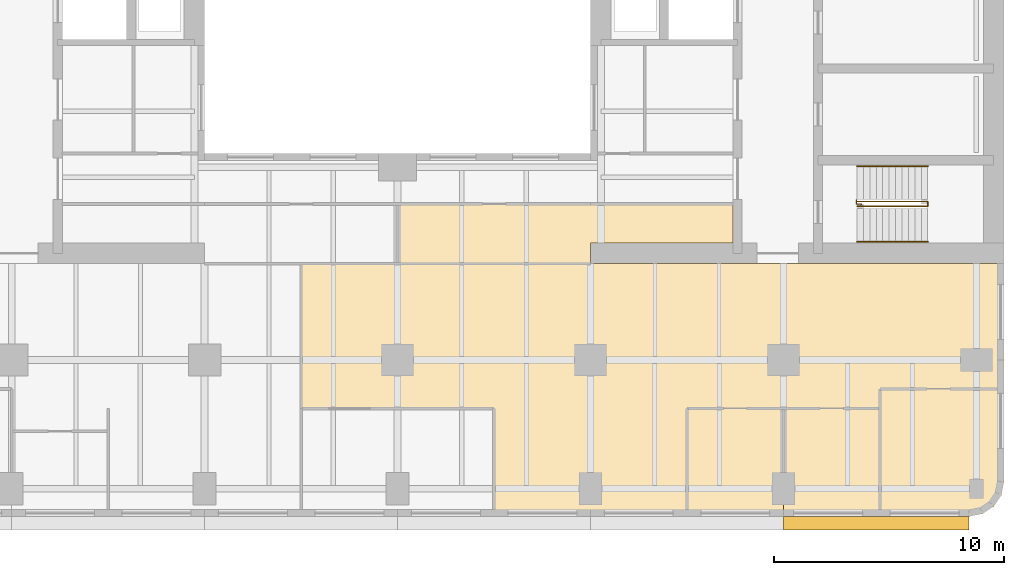
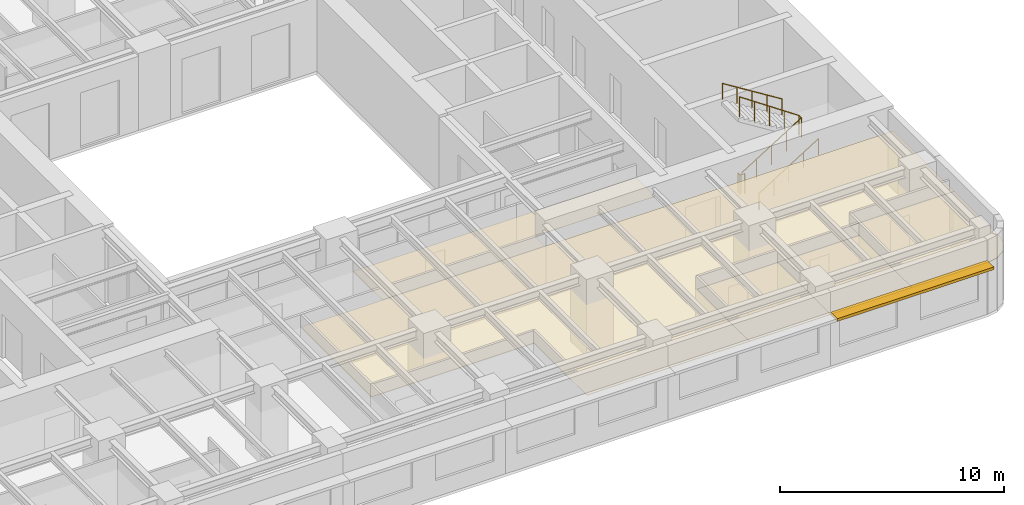
# One storey, part 10 of 11: 5 coverings, 4 railings, 1 shading device.
"""IFC4 building model written with IfcOpenShell, lengths in metres."""

from ifc_helpers import new_model, si_unit, direction, frame, origin, origin_2d, place, context, subcontext, project, spatial, polyline, rectangle, circle, outline, extrude, material, layer, layer_set, type_object, element, save


model = new_model("IFC4")

# Units and contexts
model_context = context("Model", 3, precision=1e-05, world=origin(), true_north=direction((0.0, 1.0)))
body_context = subcontext(model_context, "Body", "Model", "MODEL_VIEW")
ifc_project = project(units=[si_unit("LENGTHUNIT", "METRE"), si_unit("AREAUNIT", "SQUARE_METRE"), si_unit("VOLUMEUNIT", "CUBIC_METRE"), si_unit("PLANEANGLEUNIT", "RADIAN"), si_unit("MASSUNIT", "GRAM", prefix="KILO")], contexts=[model_context])

# Site, building, storey
site_placement = place(None, origin())
site = spatial("IfcSite", under=ifc_project, at=site_placement, CompositionType="ELEMENT")
building_placement = place(site_placement, origin())
building = spatial("IfcBuilding", under=site, at=building_placement, Name="Claustro Exchange Tower", CompositionType="ELEMENT")
storey_placement = place(building_placement, frame((0.0, 0.0, 155.39990234375)))
storey = spatial("IfcBuildingStorey", under=building, at=storey_placement, Name="L35", CompositionType="ELEMENT", Elevation=155.39990234375)

# Coverings
ifc_material_1 = material(Name="Gypsum board ceiling", Category="gypsum board")
ifc_layer_1 = layer(ifc_material_1, 0.02490234375)
ifc_layer_set_1 = layer_set([ifc_layer_1], Name="Gypsum board ceiling")
covering_type = type_object("IfcCoveringType", Name="CL2 plasterboard ceiling", PredefinedType="CEILING", material=ifc_layer_set_1)
covering_1_placement = place(storey_placement, frame((0.0, 0.0, 2.800048828125)))
element("IfcCovering", 1, at=covering_1_placement, inside=storey, type_object=covering_type, Name="Ceiling CL2 L35-03", PredefinedType="CEILING", context=body_context, shape_type="SweptSolid", body=[
    extrude(outline(polyline([(37.800048828125, 1.60009765625), (42.0, 1.60009765625), (42.0, 6.300048828125), (37.800048828125, 6.300048828125), (37.800048828125, 1.60009765625)])), origin(), (0.0, 0.0, 1.0), 0.025146484375),
])
covering_2_placement = place(storey_placement, frame((0.0, 0.0, 2.800048828125)))
element("IfcCovering", 2, at=covering_2_placement, inside=storey, type_object=covering_type, Name="Ceiling CL2 L35-04", PredefinedType="CEILING", context=body_context, shape_type="SweptSolid", body=[
    extrude(outline(polyline([(42.0, 1.60009765625), (46.199951171875, 1.60009765625), (46.199951171875, 6.300048828125), (42.0, 6.300048828125), (42.0, 1.60009765625)])), origin(), (0.0, 0.0, 1.0), 0.025146484375),
])
covering_3_placement = place(storey_placement, frame((0.0, 0.0, 2.800048828125)))
element("IfcCovering", 3, at=covering_3_placement, inside=storey, type_object=covering_type, Name="Ceiling CL2 L35-06", PredefinedType="CEILING", context=body_context, shape_type="SweptSolid", body=[
    extrude(outline(polyline([(51.60009765625, 3.10009765625), (51.60009765625, 7.14990234375), (46.199951171875, 7.14990234375), (46.199951171875, 1.60009765625), (50.10009765625, 1.60009765625), (50.674072265625, 1.714111328125), (51.16064453125, 2.039306640625), (51.48583984375, 2.52587890625), (51.60009765625, 3.10009765625)])), origin(), (0.0, 0.0, 1.0), 0.025146484375),
])
covering_4_placement = place(storey_placement, frame((0.0, 0.0, 2.800048828125)))
element("IfcCovering", 4, at=covering_4_placement, inside=storey, type_object=covering_type, Name="Ceiling CL2 L35-08", PredefinedType="CEILING", context=body_context, shape_type="SweptSolid", body=[
    extrude(outline(polyline([(51.60009765625, 12.60009765625), (39.800048828125, 12.60009765625), (21.0, 12.60009765625), (21.0, 6.300048828125), (29.39990234375, 6.300048828125), (29.39990234375, 1.60009765625), (37.800048828125, 1.60009765625), (37.800048828125, 6.300048828125), (42.0, 6.300048828125), (46.199951171875, 6.300048828125), (46.199951171875, 7.14990234375), (51.60009765625, 7.14990234375), (51.60009765625, 12.60009765625)])), origin(), (0.0, 0.0, 1.0), 0.025146484375),
])
covering_5_placement = place(storey_placement, frame((0.0, 0.0, 2.800048828125)))
element("IfcCovering", 5, at=covering_5_placement, inside=storey, type_object=covering_type, Name="Ceiling CL2 L35-10", PredefinedType="CEILING", context=body_context, shape_type="SweptSolid", body=[
    extrude(outline(polyline([(39.800048828125, 13.5), (39.800048828125, 15.199951171875), (33.60009765625, 15.199951171875), (25.199951171875, 15.199951171875), (25.199951171875, 12.60009765625), (33.60009765625, 12.60009765625), (33.60009765625, 13.5), (39.800048828125, 13.5)])), origin(), (0.0, 0.0, 1.0), 0.025146484375),
])

# Railings
ifc_material_2 = material(Name="Steel balustrade, painted", Category="steel")
railing_type_1 = type_object("IfcRailingType", Name="GR2 1100 steel stair guard", PredefinedType="GUARDRAIL", material=ifc_material_2)
railing_1_placement = place(storey_placement, frame((45.199951171875, 15.10009765625, 0.175048828125)))
element("IfcRailing", 6, at=railing_1_placement, inside=storey, type_object=railing_type_1, Name="Stair well guard GR2 stair STEA L35", PredefinedType="GUARDRAIL", context=body_context, shape_type="SweptSolid", body=[
    extrude(circle(Radius=0.02392578125, at=origin_2d()), frame((0.0, 0.0, 1.076171875), z_axis=(0.847998304005, 0.0, 0.529998940003), x_axis=(0.0, 1.0, 0.0)), (0.0, 0.0, 1.0), 3.632080078125),
    extrude(circle(Radius=0.02392578125, at=origin_2d()), frame((3.080078125, 0.0, 3.0009765625), z_axis=(0.0, 1.0, 0.0), x_axis=(-1.0, 0.0, 0.0)), (0.0, 0.0, 1.0), 0.199951171875),
    extrude(circle(Radius=0.02392578125, at=origin_2d()), frame((3.080078125, 0.199951171875, 3.0009765625), z_axis=(-0.826221800596, 0.0, 0.563344953133), x_axis=(0.0, -1.0, 0.0)), (0.0, 0.0, 1.0), 3.72802734375),
    extrude(circle(Radius=0.02099609375, at=origin_2d()), origin(), (0.0, 0.0, 1.0), 1.052001953125),
    extrude(circle(Radius=0.02099609375, at=origin_2d()), frame((0.77001953125, 0.0, 0.481201171875)), (0.0, 0.0, 1.0), 1.052001953125),
    extrude(circle(Radius=0.02099609375, at=origin_2d()), frame((1.5400390625, 0.0, 0.96240234375)), (0.0, 0.0, 1.0), 1.052001953125),
    extrude(circle(Radius=0.02099609375, at=origin_2d()), frame((2.31005859375, 0.0, 1.44384765625)), (0.0, 0.0, 1.0), 1.052001953125),
    extrude(circle(Radius=0.02099609375, at=origin_2d()), frame((3.080078125, 0.0, 1.925048828125)), (0.0, 0.0, 1.0), 1.052001953125),
    extrude(circle(Radius=0.02099609375, at=origin_2d()), frame((3.080078125, 0.199951171875, 1.925048828125)), (0.0, 0.0, 1.0), 1.052001953125),
    extrude(circle(Radius=0.02099609375, at=origin_2d()), frame((2.31005859375, 0.199951171875, 2.4501953125)), (0.0, 0.0, 1.0), 1.052001953125),
    extrude(circle(Radius=0.02099609375, at=origin_2d()), frame((1.5400390625, 0.199951171875, 2.97509765625)), (0.0, 0.0, 1.0), 1.052001953125),
    extrude(circle(Radius=0.02099609375, at=origin_2d()), frame((0.77001953125, 0.199951171875, 3.5)), (0.0, 0.0, 1.0), 1.052001953125),
    extrude(circle(Radius=0.02099609375, at=origin_2d()), frame((0.0, 0.199951171875, 4.025146484375)), (0.0, 0.0, 1.0), 1.052001953125),
])
railing_2_placement = place(storey_placement, frame((45.39990234375, 15.169921875, 0.0)))
element("IfcRailing", 7, at=railing_2_placement, inside=storey, type_object=railing_type_1, Name="Stair guard GR2 STEA L35", PredefinedType="GUARDRAIL", context=body_context, shape_type="SweptSolid", body=[
    extrude(circle(Radius=0.02392578125, at=origin_2d()), frame((0.0, 0.0, 1.076171875), z_axis=(0.0, 1.0, 0.0), x_axis=(-1.0, 0.0, 0.0)), (0.0, 0.0, 1.0), 0.030029296875),
    extrude(circle(Radius=0.02392578125, at=origin_2d()), frame((0.0, 0.030029296875, 1.076171875), z_axis=(-1.0, 0.0, 0.0), x_axis=(0.0, -1.0, 0.0)), (0.0, 0.0, 1.0), 0.224853515625),
    extrude(circle(Radius=0.02392578125, at=origin_2d()), frame((-0.224853515625, 0.030029296875, 1.076171875), z_axis=(0.0, 1.0, 0.0), x_axis=(-1.0, 0.0, 0.0)), (0.0, 0.0, 1.0), 0.179931640625),
    extrude(circle(Radius=0.02099609375, at=origin_2d()), origin(), (0.0, 0.0, 1.0), 1.052001953125),
    extrude(circle(Radius=0.02099609375, at=origin_2d()), frame((0.0, 0.030029296875, 0.0)), (0.0, 0.0, 1.0), 1.052001953125),
    extrude(circle(Radius=0.02099609375, at=origin_2d()), frame((-0.224853515625, 0.030029296875, 0.0)), (0.0, 0.0, 1.0), 1.052001953125),
    extrude(circle(Radius=0.02099609375, at=origin_2d()), frame((-0.224853515625, 0.2099609375, 0.0)), (0.0, 0.0, 1.0), 1.052001953125),
])
ifc_material_3 = material(Name="Stainless steel tube", Category="steel")
railing_type_2 = type_object("IfcRailingType", Name="HR1 900 stair handrail", PredefinedType="HANDRAIL", material=ifc_material_3)
railing_3_placement = place(storey_placement, frame((45.199951171875, 13.56005859375, 0.175048828125)))
element("IfcRailing", 8, at=railing_3_placement, inside=storey, type_object=railing_type_2, Name="Handrail HR1 stair STEA L35", PredefinedType="HANDRAIL", context=body_context, shape_type="SweptSolid", body=[
    extrude(circle(Radius=0.02392578125, at=origin_2d()), frame((0.0, 0.0, 0.8759765625), z_axis=(0.847998304005, 0.0, 0.529998940003), x_axis=(0.0, 1.0, 0.0)), (0.0, 0.0, 1.0), 3.632080078125),
    extrude(circle(Radius=0.02099609375, at=origin_2d()), origin(), (0.0, 0.0, 1.0), 0.851806640625),
    extrude(circle(Radius=0.02099609375, at=origin_2d()), frame((0.77001953125, 0.0, 0.481201171875)), (0.0, 0.0, 1.0), 0.851806640625),
    extrude(circle(Radius=0.02099609375, at=origin_2d()), frame((1.5400390625, 0.0, 0.96240234375)), (0.0, 0.0, 1.0), 0.851806640625),
    extrude(circle(Radius=0.02099609375, at=origin_2d()), frame((2.31005859375, 0.0, 1.44384765625)), (0.0, 0.0, 1.0), 0.851806640625),
    extrude(circle(Radius=0.02099609375, at=origin_2d()), frame((3.080078125, 0.0, 1.925048828125)), (0.0, 0.0, 1.0), 0.851806640625),
])
railing_4_placement = place(storey_placement, frame((48.280029296875, 16.840087890625, 2.275146484375)))
element("IfcRailing", 9, at=railing_4_placement, inside=storey, type_object=railing_type_2, Name="Handrail HR1 stair STEA L35", PredefinedType="HANDRAIL", context=body_context, shape_type="SweptSolid", body=[
    extrude(circle(Radius=0.02392578125, at=origin_2d()), frame((0.0, 0.0, 0.8759765625), z_axis=(-0.847998304005, 0.0, 0.529998940003), x_axis=(0.0, -1.0, 0.0)), (0.0, 0.0, 1.0), 3.632080078125),
    extrude(circle(Radius=0.02099609375, at=origin_2d()), origin(), (0.0, 0.0, 1.0), 0.851806640625),
    extrude(circle(Radius=0.02099609375, at=origin_2d()), frame((-0.77001953125, 0.0, 0.481201171875)), (0.0, 0.0, 1.0), 0.851806640625),
    extrude(circle(Radius=0.02099609375, at=origin_2d()), frame((-1.5400390625, 0.0, 0.96240234375)), (0.0, 0.0, 1.0), 0.851806640625),
    extrude(circle(Radius=0.02099609375, at=origin_2d()), frame((-2.31005859375, 0.0, 1.44384765625)), (0.0, 0.0, 1.0), 0.851806640625),
    extrude(circle(Radius=0.02099609375, at=origin_2d()), frame((-3.080078125, 0.0, 1.925048828125)), (0.0, 0.0, 1.0), 0.851806640625),
])

# Shading device
ifc_material_4 = material(Name="Concrete HA-40 (C40/50), precast, white cement, acid-etched", Category="concrete")
ifc_layer_2 = layer(ifc_material_4, 0.14990234375)
ifc_layer_set_2 = layer_set([ifc_layer_2], Name="Concrete HA-40 (C40/50), precast, white cement, acid-etched")
shading_device_type = type_object("IfcShadingDeviceType", Name="SS1 600 precast concrete SUNSHADE", PredefinedType="SHUTTER", material=ifc_layer_set_2)
shading_device_placement = place(storey_placement, frame((46.04248046875, 1.300048828125, 2.800048828125), z_axis=(0.0, 0.0, 1.0), x_axis=(-1.0, 0.0, 0.0)))
element("IfcShadingDevice", 10, at=shading_device_placement, inside=storey, type_object=shading_device_type, Name="Precast SUNSHADE SS1 L35", PredefinedType="SHUTTER", context=body_context, shape_type="SweptSolid", body=[
    extrude(rectangle(XDim=8.085205078125, YDim=0.60009765625, at=origin_2d()), origin(), (0.0, 0.0, 1.0), 0.14990234375),
])

save(model, "model.ifc")
